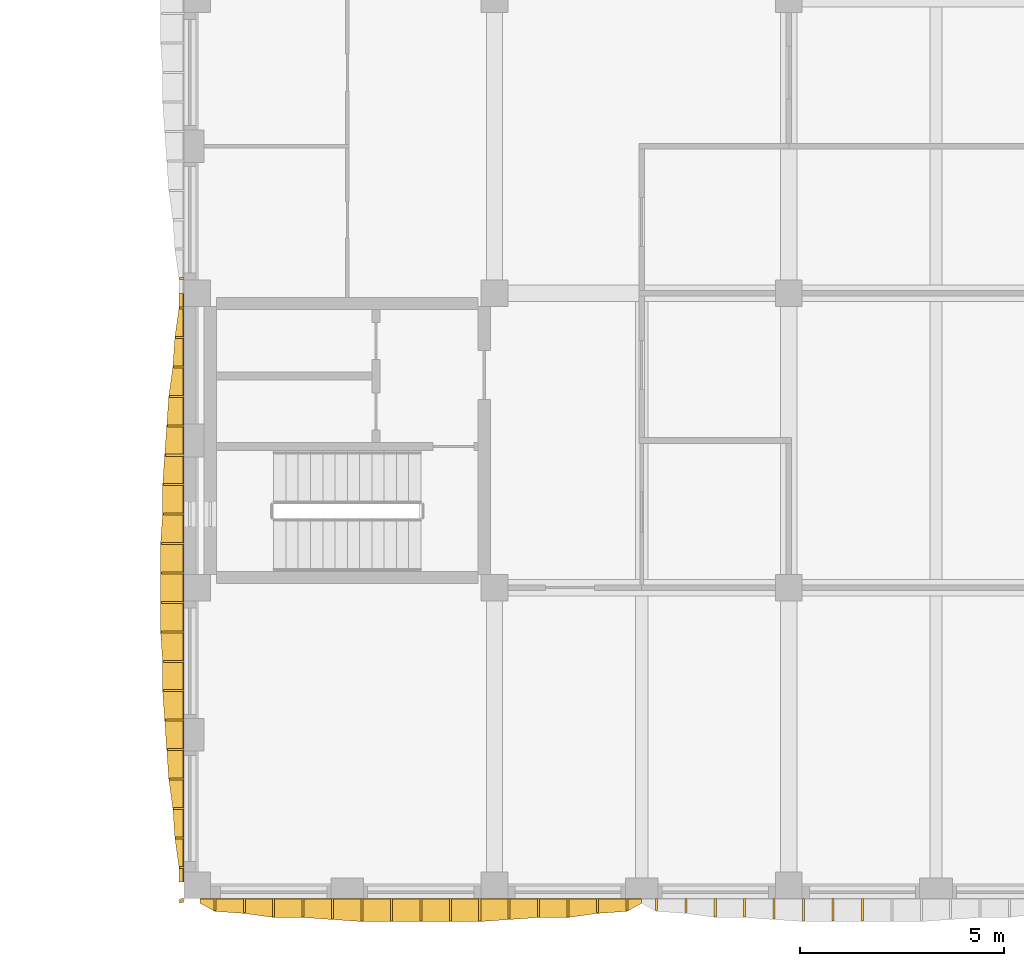
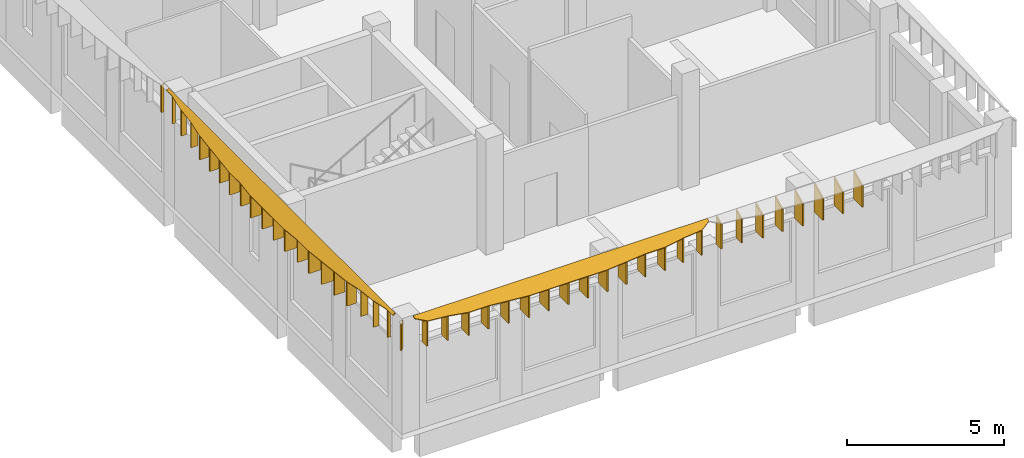
# One storey, part 13 of 24: 47 shading devices.
"""IFC4 building model written with IfcOpenShell, lengths in metres."""

from ifc_helpers import new_model, si_unit, direction, frame, origin, place, context, subcontext, project, spatial, polyline, outline, extrude, material, layer, layer_set, type_object, element, save


model = new_model("IFC4")

# Units and contexts
model_context = context("Model", 3, precision=1e-05, world=origin(), true_north=direction((0.0, 1.0)))
body_context = subcontext(model_context, "Body", "Model", "MODEL_VIEW")
ifc_project = project(units=[si_unit("LENGTHUNIT", "METRE"), si_unit("AREAUNIT", "SQUARE_METRE"), si_unit("VOLUMEUNIT", "CUBIC_METRE"), si_unit("PLANEANGLEUNIT", "RADIAN"), si_unit("MASSUNIT", "GRAM", prefix="KILO")], contexts=[model_context])

# Site, building, storey
site_placement = place(None, origin())
site = spatial("IfcSite", under=ifc_project, at=site_placement, CompositionType="ELEMENT")
building_placement = place(site_placement, origin())
building = spatial("IfcBuilding", under=site, at=building_placement, Name="Ussher Court Research Institute", CompositionType="ELEMENT")
storey_placement = place(building_placement, frame((0.0, 0.0, 32.39990234375)))
storey = spatial("IfcBuildingStorey", under=building, at=storey_placement, Name="L07", CompositionType="ELEMENT", Elevation=32.39990234375)

# Shading devices
ifc_material_1 = material(Name="Bronze anodised aluminium", Category="aluminium")
ifc_layer_1 = layer(ifc_material_1, 0.050048828125)
ifc_layer_set_1 = layer_set([ifc_layer_1], Name="Bronze anodised aluminium")
shading_device_type_1 = type_object("IfcShadingDeviceType", Name="Brim blade 100 mm deep 1100 mm high canted 26 deg wet", PredefinedType="USERDEFINED", material=ifc_layer_set_1)
for number, where, z_axis, x_axis, name in (
    (1, (81.800048828125, 4.360107421875, 3.35009765625), (0.0, 0.0, 1.0), (-1.0, 0.0, 0.0), "Brim blade BS10 L07"),
    (2, (81.800048828125, 18.0400390625, 3.35009765625), (0.0, 0.0, 1.0), (-1.0, 0.0, 0.0), "Brim blade BS10 L07"),
    (3, (81.800048828125, 18.760009765625, 3.35009765625), (0.0, 0.0, 1.0), (-1.0, 0.0, 0.0), "Brim blade BS10 L07"),
):
    element("IfcShadingDevice", number, at=place(storey_placement, frame(where, z_axis=z_axis, x_axis=x_axis)), inside=storey, type_object=shading_device_type_1, Name=name, ObjectType="BLADE", PredefinedType="USERDEFINED", context=body_context, shape_type="SweptSolid", body=[
        extrude(outline(polyline([(0.0, 0.0), (0.10009765625, 0.0), (0.10009765625, 1.05126953125), (0.0, 1.10009765625), (0.0, 0.0)])), frame((0.0, 0.02490234375, 0.0), z_axis=(0.0, -1.0, 0.0), x_axis=(1.0, 0.0, 0.0)), (0.0, 0.0, 1.0), 0.050048828125),
    ])
ifc_material_2 = material(Name="Bronze anodised aluminium", Category="aluminium")
ifc_layer_2 = layer(ifc_material_2, 0.050048828125)
ifc_layer_set_2 = layer_set([ifc_layer_2], Name="Bronze anodised aluminium")
shading_device_type_2 = type_object("IfcShadingDeviceType", Name="Brim blade 200 mm deep 1100 mm high canted 26 deg wet", PredefinedType="USERDEFINED", material=ifc_layer_set_2)
for number, where, z_axis, x_axis, name in (
    (4, (81.800048828125, 5.080078125, 3.35009765625), (0.0, 0.0, 1.0), (-1.0, 0.0, 0.0), "Brim blade BS08 L07"),
    (5, (81.800048828125, 17.320068359375, 3.35009765625), (0.0, 0.0, 1.0), (-1.0, 0.0, 0.0), "Brim blade BS08 L07"),
):
    element("IfcShadingDevice", number, at=place(storey_placement, frame(where, z_axis=z_axis, x_axis=x_axis)), inside=storey, type_object=shading_device_type_2, Name=name, ObjectType="BLADE", PredefinedType="USERDEFINED", context=body_context, shape_type="SweptSolid", body=[
        extrude(outline(polyline([(0.0, 0.0), (0.199951171875, 0.0), (0.199951171875, 1.00244140625), (0.0, 1.10009765625), (0.0, 0.0)])), frame((0.0, 0.02490234375, 0.0), z_axis=(0.0, -1.0, 0.0), x_axis=(1.0, 0.0, 0.0)), (0.0, 0.0, 1.0), 0.050048828125),
    ])
ifc_material_3 = material(Name="Bronze anodised aluminium", Category="aluminium")
ifc_layer_3 = layer(ifc_material_3, 0.050048828125)
ifc_layer_set_3 = layer_set([ifc_layer_3], Name="Bronze anodised aluminium")
shading_device_type_3 = type_object("IfcShadingDeviceType", Name="Brim blade 250 mm deep 1100 mm high canted 26 deg wet", PredefinedType="USERDEFINED", material=ifc_layer_set_3)
for number, where, z_axis, x_axis, name in (
    (6, (81.800048828125, 5.800048828125, 3.35009765625), (0.0, 0.0, 1.0), (-1.0, 0.0, 0.0), "Brim blade BS07 L07"),
    (7, (81.800048828125, 16.60009765625, 3.35009765625), (0.0, 0.0, 1.0), (-1.0, 0.0, 0.0), "Brim blade BS07 L07"),
):
    element("IfcShadingDevice", number, at=place(storey_placement, frame(where, z_axis=z_axis, x_axis=x_axis)), inside=storey, type_object=shading_device_type_3, Name=name, ObjectType="BLADE", PredefinedType="USERDEFINED", context=body_context, shape_type="SweptSolid", body=[
        extrude(outline(polyline([(0.0, 0.0), (0.25, 0.0), (0.25, 0.97802734375), (0.0, 1.10009765625), (0.0, 0.0)])), frame((0.0, 0.02490234375, 0.0), z_axis=(0.0, -1.0, 0.0), x_axis=(1.0, 0.0, 0.0)), (0.0, 0.0, 1.0), 0.050048828125),
    ])
ifc_material_4 = material(Name="Bronze anodised aluminium", Category="aluminium")
ifc_layer_4 = layer(ifc_material_4, 0.050048828125)
ifc_layer_set_4 = layer_set([ifc_layer_4], Name="Bronze anodised aluminium")
shading_device_type_4 = type_object("IfcShadingDeviceType", Name="Brim blade 300 mm deep 1100 mm high canted 26 deg wet", PredefinedType="USERDEFINED", material=ifc_layer_set_4)
for number, where, z_axis, x_axis, name in (
    (8, (93.360107421875, 3.60009765625, 3.35009765625), (0.0, 0.0, 1.0), (0.0, -1.0, 0.0), "Brim blade BS06 L07"),
    (9, (92.639892578125, 3.60009765625, 3.35009765625), (0.0, 0.0, 1.0), (0.0, -1.0, 0.0), "Brim blade BS06 L07"),
    (10, (82.56005859375, 3.60009765625, 3.35009765625), (0.0, 0.0, 1.0), (0.0, -1.0, 0.0), "Brim blade BS06 L07"),
):
    element("IfcShadingDevice", number, at=place(storey_placement, frame(where, z_axis=z_axis, x_axis=x_axis)), inside=storey, type_object=shading_device_type_4, Name=name, ObjectType="BLADE", PredefinedType="USERDEFINED", context=body_context, shape_type="SweptSolid", body=[
        extrude(outline(polyline([(0.0, 0.0), (0.300048828125, 0.0), (0.300048828125, 0.95361328125), (0.0, 1.10009765625), (0.0, 0.0)])), frame((0.0, 0.02490234375, 0.0), z_axis=(0.0, -1.0, 0.0), x_axis=(1.0, 0.0, 0.0)), (0.0, 0.0, 1.0), 0.050048828125),
    ])
ifc_material_5 = material(Name="Bronze anodised aluminium", Category="aluminium")
ifc_layer_5 = layer(ifc_material_5, 0.050048828125)
ifc_layer_set_5 = layer_set([ifc_layer_5], Name="Bronze anodised aluminium")
shading_device_type_5 = type_object("IfcShadingDeviceType", Name="Brim blade 350 mm deep 1100 mm high canted 26 deg wet", PredefinedType="USERDEFINED", material=ifc_layer_set_5)
for number, where, z_axis, x_axis, name in (
    (11, (94.080078125, 3.60009765625, 3.35009765625), (0.0, 0.0, 1.0), (0.0, -1.0, 0.0), "Brim blade BS05 L07"),
    (12, (91.919921875, 3.60009765625, 3.35009765625), (0.0, 0.0, 1.0), (0.0, -1.0, 0.0), "Brim blade BS05 L07"),
    (13, (83.280029296875, 3.60009765625, 3.35009765625), (0.0, 0.0, 1.0), (0.0, -1.0, 0.0), "Brim blade BS05 L07"),
    (14, (81.800048828125, 6.52001953125, 3.35009765625), (0.0, 0.0, 1.0), (-1.0, 0.0, 0.0), "Brim blade BS05 L07"),
    (15, (81.800048828125, 15.8798828125, 3.35009765625), (0.0, 0.0, 1.0), (-1.0, 0.0, 0.0), "Brim blade BS05 L07"),
):
    element("IfcShadingDevice", number, at=place(storey_placement, frame(where, z_axis=z_axis, x_axis=x_axis)), inside=storey, type_object=shading_device_type_5, Name=name, ObjectType="BLADE", PredefinedType="USERDEFINED", context=body_context, shape_type="SweptSolid", body=[
        extrude(outline(polyline([(0.0, 0.0), (0.35009765625, 0.0), (0.35009765625, 0.92919921875), (0.0, 1.10009765625), (0.0, 0.0)])), frame((0.0, 0.02490234375, 0.0), z_axis=(0.0, -1.0, 0.0), x_axis=(1.0, 0.0, 0.0)), (0.0, 0.0, 1.0), 0.050048828125),
    ])
ifc_material_6 = material(Name="Bronze anodised aluminium", Category="aluminium")
ifc_layer_6 = layer(ifc_material_6, 0.050048828125)
ifc_layer_set_6 = layer_set([ifc_layer_6], Name="Bronze anodised aluminium")
shading_device_type_6 = type_object("IfcShadingDeviceType", Name="Brim blade 400 mm deep 1100 mm high canted 26 deg wet", PredefinedType="USERDEFINED", material=ifc_layer_set_6)
for number, where, z_axis, x_axis, name in (
    (16, (81.800048828125, 7.239990234375, 3.35009765625), (0.0, 0.0, 1.0), (-1.0, 0.0, 0.0), "Brim blade BS04 L07"),
    (17, (81.800048828125, 15.159912109375, 3.35009765625), (0.0, 0.0, 1.0), (-1.0, 0.0, 0.0), "Brim blade BS04 L07"),
):
    element("IfcShadingDevice", number, at=place(storey_placement, frame(where, z_axis=z_axis, x_axis=x_axis)), inside=storey, type_object=shading_device_type_6, Name=name, ObjectType="BLADE", PredefinedType="USERDEFINED", context=body_context, shape_type="SweptSolid", body=[
        extrude(outline(polyline([(0.0, 0.0), (0.400146484375, 0.0), (0.39990234375, 0.90478515625), (0.0, 1.10009765625), (0.0, 0.0)])), frame((0.0, 0.02490234375, 0.0), z_axis=(0.0, -1.0, 0.0), x_axis=(1.0, 0.0, 0.0)), (0.0, 0.0, 1.0), 0.050048828125),
    ])
ifc_material_7 = material(Name="Bronze anodised aluminium", Category="aluminium")
ifc_layer_7 = layer(ifc_material_7, 0.050048828125)
ifc_layer_set_7 = layer_set([ifc_layer_7], Name="Bronze anodised aluminium")
shading_device_type_7 = type_object("IfcShadingDeviceType", Name="Brim blade 450 mm deep 1100 mm high canted 26 deg wet", PredefinedType="USERDEFINED", material=ifc_layer_set_7)
for number, where, z_axis, x_axis, name in (
    (18, (95.52001953125, 3.60009765625, 3.35009765625), (0.0, 0.0, 1.0), (0.0, -1.0, 0.0), "Brim blade BS03 L07"),
    (19, (94.800048828125, 3.60009765625, 3.35009765625), (0.0, 0.0, 1.0), (0.0, -1.0, 0.0), "Brim blade BS03 L07"),
    (20, (91.199951171875, 3.60009765625, 3.35009765625), (0.0, 0.0, 1.0), (0.0, -1.0, 0.0), "Brim blade BS03 L07"),
    (21, (90.47998046875, 3.60009765625, 3.35009765625), (0.0, 0.0, 1.0), (0.0, -1.0, 0.0), "Brim blade BS03 L07"),
    (22, (84.719970703125, 3.60009765625, 3.35009765625), (0.0, 0.0, 1.0), (0.0, -1.0, 0.0), "Brim blade BS03 L07"),
    (23, (84.0, 3.60009765625, 3.35009765625), (0.0, 0.0, 1.0), (0.0, -1.0, 0.0), "Brim blade BS03 L07"),
):
    element("IfcShadingDevice", number, at=place(storey_placement, frame(where, z_axis=z_axis, x_axis=x_axis)), inside=storey, type_object=shading_device_type_7, Name=name, ObjectType="BLADE", PredefinedType="USERDEFINED", context=body_context, shape_type="SweptSolid", body=[
        extrude(outline(polyline([(0.0, 0.0), (0.4501953125, 0.0), (0.449951171875, 0.880615234375), (0.0, 1.10009765625), (0.0, 0.0)])), frame((0.0, 0.02490234375, 0.0), z_axis=(0.0, -1.0, 0.0), x_axis=(1.0, 0.0, 0.0)), (0.0, 0.0, 1.0), 0.050048828125),
    ])
for number, where, z_axis, x_axis, name in (
    (24, (81.800048828125, 7.9599609375, 3.35009765625), (0.0, 0.0, 1.0), (-1.0, 0.0, 0.0), "Brim blade BS03 L07"),
    (25, (81.800048828125, 14.43994140625, 3.35009765625), (0.0, 0.0, 1.0), (-1.0, 0.0, 0.0), "Brim blade BS03 L07"),
):
    element("IfcShadingDevice", number, at=place(storey_placement, frame(where, z_axis=z_axis, x_axis=x_axis)), inside=storey, type_object=shading_device_type_7, Name=name, ObjectType="BLADE", PredefinedType="USERDEFINED", context=body_context, shape_type="SweptSolid", body=[
        extrude(outline(polyline([(0.0, 0.0), (0.449951171875, 0.0), (0.449951171875, 0.880615234375), (0.0, 1.10009765625), (0.0, 0.0)])), frame((0.0, 0.02490234375, 0.0), z_axis=(0.0, -1.0, 0.0), x_axis=(1.0, 0.0, 0.0)), (0.0, 0.0, 1.0), 0.050048828125),
    ])
ifc_material_8 = material(Name="Bronze anodised aluminium", Category="aluminium")
ifc_layer_8 = layer(ifc_material_8, 0.050048828125)
ifc_layer_set_8 = layer_set([ifc_layer_8], Name="Bronze anodised aluminium")
shading_device_type_8 = type_object("IfcShadingDeviceType", Name="Brim blade 500 mm deep 1100 mm high canted 26 deg wet", PredefinedType="USERDEFINED", material=ifc_layer_set_8)
for number, where, z_axis, x_axis, name in (
    (26, (96.239990234375, 3.60009765625, 3.35009765625), (0.0, 0.0, 1.0), (0.0, -1.0, 0.0), "Brim blade BS02 L07"),
    (27, (89.760009765625, 3.60009765625, 3.35009765625), (0.0, 0.0, 1.0), (0.0, -1.0, 0.0), "Brim blade BS02 L07"),
    (28, (85.43994140625, 3.60009765625, 3.35009765625), (0.0, 0.0, 1.0), (0.0, -1.0, 0.0), "Brim blade BS02 L07"),
    (29, (81.800048828125, 8.679931640625, 3.35009765625), (0.0, 0.0, 1.0), (-1.0, 0.0, 0.0), "Brim blade BS02 L07"),
    (30, (81.800048828125, 9.39990234375, 3.35009765625), (0.0, 0.0, 1.0), (-1.0, 0.0, 0.0), "Brim blade BS02 L07"),
    (31, (81.800048828125, 13.0, 3.35009765625), (0.0, 0.0, 1.0), (-1.0, 0.0, 0.0), "Brim blade BS02 L07"),
    (32, (81.800048828125, 13.719970703125, 3.35009765625), (0.0, 0.0, 1.0), (-1.0, 0.0, 0.0), "Brim blade BS02 L07"),
):
    element("IfcShadingDevice", number, at=place(storey_placement, frame(where, z_axis=z_axis, x_axis=x_axis)), inside=storey, type_object=shading_device_type_8, Name=name, ObjectType="BLADE", PredefinedType="USERDEFINED", context=body_context, shape_type="SweptSolid", body=[
        extrude(outline(polyline([(0.0, 0.0), (0.5, 0.0), (0.5, 0.856201171875), (0.0, 1.10009765625), (0.0, 0.0)])), frame((0.0, 0.02490234375, 0.0), z_axis=(0.0, -1.0, 0.0), x_axis=(1.0, 0.0, 0.0)), (0.0, 0.0, 1.0), 0.050048828125),
    ])
ifc_material_9 = material(Name="Bronze anodised aluminium", Category="aluminium")
ifc_layer_9 = layer(ifc_material_9, 0.050048828125)
ifc_layer_set_9 = layer_set([ifc_layer_9], Name="Bronze anodised aluminium")
shading_device_type_9 = type_object("IfcShadingDeviceType", Name="Brim blade 550 mm deep 1100 mm high canted 26 deg wet", PredefinedType="USERDEFINED", material=ifc_layer_set_9)
for number, where, z_axis, x_axis, name in (
    (33, (98.39990234375, 3.60009765625, 3.35009765625), (0.0, 0.0, 1.0), (0.0, -1.0, 0.0), "Brim blade BS01 L07"),
    (34, (97.679931640625, 3.60009765625, 3.35009765625), (0.0, 0.0, 1.0), (0.0, -1.0, 0.0), "Brim blade BS01 L07"),
    (35, (96.9599609375, 3.60009765625, 3.35009765625), (0.0, 0.0, 1.0), (0.0, -1.0, 0.0), "Brim blade BS01 L07"),
    (36, (89.0400390625, 3.60009765625, 3.35009765625), (0.0, 0.0, 1.0), (0.0, -1.0, 0.0), "Brim blade BS01 L07"),
    (37, (88.320068359375, 3.60009765625, 3.35009765625), (0.0, 0.0, 1.0), (0.0, -1.0, 0.0), "Brim blade BS01 L07"),
    (38, (87.60009765625, 3.60009765625, 3.35009765625), (0.0, 0.0, 1.0), (0.0, -1.0, 0.0), "Brim blade BS01 L07"),
    (39, (86.8798828125, 3.60009765625, 3.35009765625), (0.0, 0.0, 1.0), (0.0, -1.0, 0.0), "Brim blade BS01 L07"),
    (40, (86.159912109375, 3.60009765625, 3.35009765625), (0.0, 0.0, 1.0), (0.0, -1.0, 0.0), "Brim blade BS01 L07"),
    (41, (81.800048828125, 10.1201171875, 3.35009765625), (0.0, 0.0, 1.0), (-1.0, 0.0, 0.0), "Brim blade BS01 L07"),
    (42, (81.800048828125, 10.840087890625, 3.35009765625), (0.0, 0.0, 1.0), (-1.0, 0.0, 0.0), "Brim blade BS01 L07"),
    (43, (81.800048828125, 11.56005859375, 3.35009765625), (0.0, 0.0, 1.0), (-1.0, 0.0, 0.0), "Brim blade BS01 L07"),
    (44, (81.800048828125, 12.280029296875, 3.35009765625), (0.0, 0.0, 1.0), (-1.0, 0.0, 0.0), "Brim blade BS01 L07"),
):
    element("IfcShadingDevice", number, at=place(storey_placement, frame(where, z_axis=z_axis, x_axis=x_axis)), inside=storey, type_object=shading_device_type_9, Name=name, ObjectType="BLADE", PredefinedType="USERDEFINED", context=body_context, shape_type="SweptSolid", body=[
        extrude(outline(polyline([(0.0, 0.0), (0.550048828125, 0.0), (0.550048828125, 0.831787109375), (0.0, 1.10009765625), (0.0, 0.0)])), frame((0.0, 0.02490234375, 0.0), z_axis=(0.0, -1.0, 0.0), x_axis=(1.0, 0.0, 0.0)), (0.0, 0.0, 1.0), 0.050048828125),
    ])
ifc_material_10 = material(Name="Bronze anodised aluminium", Category="aluminium")
ifc_layer_10 = layer(ifc_material_10, 0.050048828125)
ifc_layer_set_10 = layer_set([ifc_layer_10], Name="Bronze anodised aluminium")
shading_device_type_10 = type_object("IfcShadingDeviceType", Name="Brim mitre blade 100 mm deep 1100 mm high canted 26 deg wet", PredefinedType="USERDEFINED", material=ifc_layer_set_10)
shading_device_1_placement = place(storey_placement, frame((81.800048828125, 3.60009765625, 3.35009765625), z_axis=(0.0, 0.0, 1.0), x_axis=(-0.707106781187, -0.707106781187, 0.0)))
element("IfcShadingDevice", 45, at=shading_device_1_placement, inside=storey, type_object=shading_device_type_10, Name="Brim mitre blade BS18 L07", ObjectType="BLADE", PredefinedType="USERDEFINED", context=body_context, shape_type="SweptSolid", body=[
    extrude(outline(polyline([(0.0, 0.0), (0.1416015625, 0.0), (0.141357421875, 1.00244140625), (0.0, 1.10009765625), (0.0, 0.0)])), frame((0.0, 0.02490234375, 0.0), z_axis=(0.0, -1.0, 0.0), x_axis=(1.0, 0.0, 0.0)), (0.0, 0.0, 1.0), 0.050048828125),
])
ifc_material_11 = material(Name="Bronze anodised aluminium", Category="aluminium")
ifc_layer_11 = layer(ifc_material_11, 0.0400390625)
ifc_layer_set_11 = layer_set([ifc_layer_11], Name="Bronze anodised aluminium")
shading_device_type_11 = type_object("IfcShadingDeviceType", Name="Brim visor sheet 40 mm canted 26 deg wet", PredefinedType="USERDEFINED", material=ifc_layer_set_11)
shading_device_2_placement = place(storey_placement, frame((93.0, 3.58251953125, 4.486083984375), z_axis=(0.0, -0.438461416816, 0.898750013054), x_axis=(-1.0, 0.0, 0.0)))
element("IfcShadingDevice", 46, at=shading_device_2_placement, inside=storey, type_object=shading_device_type_11, Name="Brim visor sheet BR1 L07", ObjectType="BRIM", PredefinedType="USERDEFINED", context=body_context, shape_type="SweptSolid", body=[
    extrude(outline(polyline([(0.0, 0.0), (10.800048828125, 0.0), (10.800048828125, 0.1113720187292832), (10.43994140625, 0.33389663479794396), (9.719970703125, 0.38958264416258553), (9.0, 0.5006281952576233), (8.280029296875, 0.5006281952576233), (7.56005859375, 0.5563142046222649), (6.840087890625, 0.6120002139869065), (6.1201171875, 0.6120002139869065), (5.39990234375, 0.6120002139869065), (4.679931640625, 0.6120002139869065), (3.9599609375, 0.6120002139869065), (3.239990234375, 0.5563142046222649), (2.52001953125, 0.5006281952576233), (1.800048828125, 0.5006281952576233), (1.080078125, 0.38958264416258553), (0.360107421875, 0.33389663479794396), (0.0, 0.1113720187292832), (0.0, 0.0)])), origin(), (0.0, 0.0, -1.0), 0.0400390625),
])
shading_device_3_placement = place(storey_placement, frame((81.782470703125, 4.0, 4.486083984375), z_axis=(-0.438529187419, 0.0, 0.898716947532), x_axis=(0.0, 1.0, 0.0)))
element("IfcShadingDevice", 47, at=shading_device_3_placement, inside=storey, type_object=shading_device_type_11, Name="Brim visor sheet BR1 L07", ObjectType="BRIM", PredefinedType="USERDEFINED", context=body_context, shape_type="SweptSolid", body=[
    extrude(outline(polyline([(0.0, 0.0), (14.39990234375, 0.0), (14.39990234375, 0.11115260474230423), (14.0400390625, 0.11115260474230423), (13.320068359375, 0.22252462280187707), (12.60009765625, 0.2782106318316635), (11.8798828125, 0.38936323657396776), (11.159912109375, 0.4449421828138569), (10.43994140625, 0.5006281918436433), (9.719970703125, 0.5563142008734296), (9.0, 0.5563142008734296), (8.280029296875, 0.6120002099032161), (7.56005859375, 0.6120002099032161), (6.840087890625, 0.6120002099032161), (6.1201171875, 0.6120002099032161), (5.39990234375, 0.5563142008734296), (4.679931640625, 0.5563142008734296), (3.9599609375, 0.5006281918436433), (3.239990234375, 0.4449421828138569), (2.52001953125, 0.38936323657396776), (1.800048828125, 0.2782106318316635), (1.080078125, 0.22252462280187707), (0.360107421875, 0.11115260474230423), (0.0, 0.11115260474230423), (0.0, 0.0)])), origin(), (0.0, 0.0, -1.0), 0.0400390625),
])

save(model, "model.ifc")
